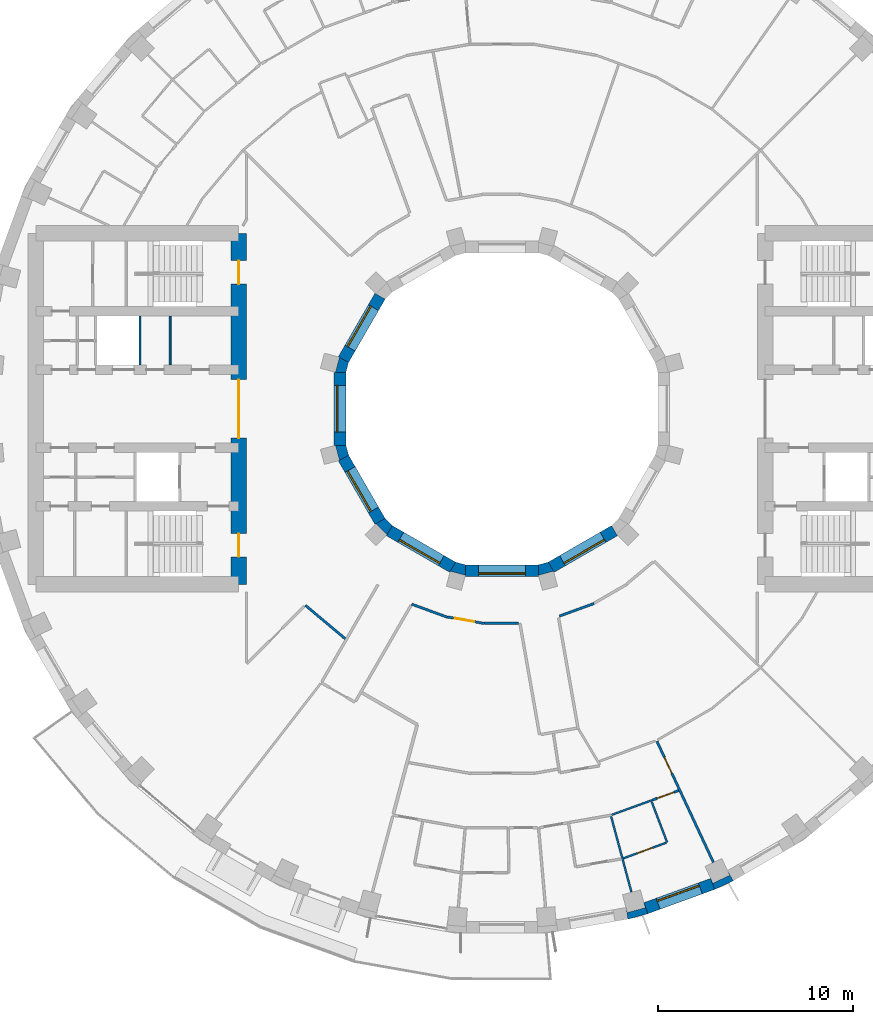
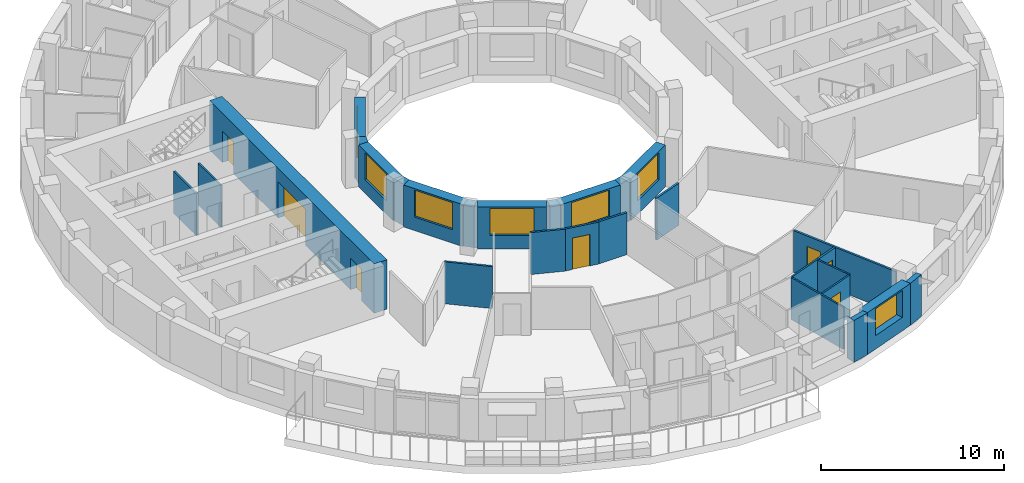
# One storey, part 6 of 14: 28 walls, 7 doors, 7 windows, 14 openings.
"""IFC4 building model written with IfcOpenShell, lengths in metres."""

import ifcopenshell
import ifcopenshell.guid

model = None  # the IFC model being written
_history = None  # IfcOwnerHistory: only IFC2X3 demands one
_inside = {}  # id of a spatial element -> (the spatial element, [elements in it])
_under = {}  # id of a project, library or spatial element -> (it, [spatial elements below it])
_declared = {}  # id of a project -> (the project, [libraries it declares])
_typed = {}  # id of a type object -> (the type object, [elements of that type])
_made_of = {}  # id of a material, layer set ... -> (it, [elements and type objects made of it])


def new_model(schema):
    """Start an empty IFC model of exactly this schema.

    Asked for "IFC4X3", IfcOpenShell would pick the latest addendum, in which some entities
    have other attributes; the version numbers below select the first issue.
    IFC2X3 requires an IfcOwnerHistory on every rooted entity: one is made here for all.
    """
    global model, _history
    if schema == "IFC4X3":
        model = ifcopenshell.file(schema_version=(4, 3, 0, 0))
    else:
        model = ifcopenshell.file(schema=schema)
    _inside.clear()
    _under.clear()
    _declared.clear()
    _typed.clear()
    _made_of.clear()
    _history = None
    if model.schema == "IFC2X3":
        org = make("IfcOrganization", Name="unknown")
        user = make(
            "IfcPersonAndOrganization",
            ThePerson=make("IfcPerson", FamilyName="unknown"),
            TheOrganization=org,
        )
        app = make(
            "IfcApplication",
            ApplicationDeveloper=org,
            Version="unknown",
            ApplicationFullName="unknown",
            ApplicationIdentifier="unknown",
        )
        _history = make(
            "IfcOwnerHistory",
            OwningUser=user,
            OwningApplication=app,
            ChangeAction="ADDED",
            CreationDate=0,
        )
    return model


def make(cls, **values):
    """One entity of the class cls with the attributes given. An attribute that is None is left unset."""
    return model.create_entity(
        cls, **{name: value for name, value in values.items() if value is not None}
    )


def rooted(cls, **values):
    """An entity with a GlobalId (a new one), such as an element, a storey or a relation."""
    return make(cls, GlobalId=ifcopenshell.guid.new(), OwnerHistory=_history, **values)


def si_unit(unit_type, name, prefix=None):
    """IfcSIUnit, for example si_unit("LENGTHUNIT", "METRE", prefix="MILLI")."""
    return make("IfcSIUnit", UnitType=unit_type, Prefix=prefix, Name=name)


def assignment(units):
    """IfcUnitAssignment: the units of a project."""
    return None if units is None else make("IfcUnitAssignment", Units=units)


def point(xyz):
    """IfcCartesianPoint."""
    return None if xyz is None else make("IfcCartesianPoint", Coordinates=xyz)


def direction(xyz):
    """IfcDirection."""
    return None if xyz is None else make("IfcDirection", DirectionRatios=xyz)


def frame(location, z_axis=None, x_axis=None):
    """IfcAxis2Placement3D, a coordinate frame: its origin and axes. An axis left out is left unset."""
    return make(
        "IfcAxis2Placement3D",
        Location=point(location),
        Axis=direction(z_axis),
        RefDirection=direction(x_axis),
    )


def frame_2d(location, x_axis=None):
    """IfcAxis2Placement2D, a coordinate frame in the plane: its origin and x axis."""
    return make(
        "IfcAxis2Placement2D", Location=point(location), RefDirection=direction(x_axis)
    )


def origin():
    """The frame at (0, 0, 0) with its axes left unset."""
    return frame((0.0, 0.0, 0.0))


def place(relative_to, where):
    """IfcLocalPlacement: puts the frame where relative to a parent placement (None: the world)."""
    return make(
        "IfcLocalPlacement", PlacementRelTo=relative_to, RelativePlacement=where
    )


def context(
    kind, dimensions, precision=None, world=None, true_north=None, identifier=None
):
    """IfcGeometricRepresentationContext, for example the 3D "Model" context."""
    return make(
        "IfcGeometricRepresentationContext",
        ContextIdentifier=identifier,
        ContextType=kind,
        CoordinateSpaceDimension=dimensions,
        Precision=precision,
        WorldCoordinateSystem=world,
        TrueNorth=true_north,
    )


def subcontext(parent, identifier, kind, view, scale=None):
    """IfcGeometricRepresentationSubContext, for example "Body" below "Model"."""
    return make(
        "IfcGeometricRepresentationSubContext",
        ContextIdentifier=identifier,
        ContextType=kind,
        ParentContext=parent,
        TargetScale=scale,
        TargetView=view,
    )


def project(units=None, contexts=None):
    """IfcProject with its units and contexts."""
    return rooted(
        "IfcProject",
        Name="project",
        RepresentationContexts=contexts,
        UnitsInContext=assignment(units),
    )


def spatial(cls, under=None, at=None, **own):
    """A site, building, storey or space (cls), placed at a placement, below another one or the project."""
    s = rooted(cls, ObjectPlacement=at, **own)
    if under is not None:
        _under.setdefault(under.id(), (under, []))[1].append(s)
    return s


def polyline(points):
    """IfcPolyline through the points."""
    return make("IfcPolyline", Points=[point(p) for p in points])


def profile(cls, at=None, kind="AREA", **sizes):
    """A parametric profile (cls). Its sizes go by their IFC names, for example OverallWidth=200.0."""
    return make(cls, ProfileType=kind, Position=at, **sizes)


def rectangle(**sizes):
    """IfcRectangleProfileDef."""
    return profile("IfcRectangleProfileDef", **sizes)


def outline(outer, holes=None, kind="AREA"):
    """IfcArbitraryClosedProfileDef: a profile drawn as a closed curve; with holes, ...WithVoids."""
    if holes is None:
        return make("IfcArbitraryClosedProfileDef", ProfileType=kind, OuterCurve=outer)
    return make(
        "IfcArbitraryProfileDefWithVoids",
        ProfileType=kind,
        OuterCurve=outer,
        InnerCurves=holes,
    )


def extrude(swept, where, along, depth):
    """IfcExtrudedAreaSolid: the profile swept, set in the frame where, extruded along a direction by depth."""
    return make(
        "IfcExtrudedAreaSolid",
        SweptArea=swept,
        Position=where,
        ExtrudedDirection=direction(along),
        Depth=depth,
    )


def shape(context_of_items, identifier, shape_type, items):
    """IfcShapeRepresentation: the items that make up one representation, for example the "Body"."""
    return make(
        "IfcShapeRepresentation",
        ContextOfItems=context_of_items,
        RepresentationIdentifier=identifier,
        RepresentationType=shape_type,
        Items=items,
    )


def material(Name=None, Category=None):
    """IfcMaterial."""
    return make("IfcMaterial", Name=Name, Category=Category)


def layer(
    of_material, thickness, ventilated=None, Name=None, Category=None, Priority=None
):
    """IfcMaterialLayer: one layer of a wall or slab, of a material (None: an air gap)."""
    return make(
        "IfcMaterialLayer",
        Material=of_material,
        LayerThickness=thickness,
        IsVentilated=ventilated,
        Name=Name,
        Category=Category,
        Priority=Priority,
    )


def layer_set(layers, Name=None):
    """IfcMaterialLayerSet."""
    return make("IfcMaterialLayerSet", MaterialLayers=layers, LayerSetName=Name)


def made_of(thing, what):
    """Note that an element or type object is made of a material, layer set ...; save() writes the relation."""
    if what is not None:
        _made_of.setdefault(what.id(), (what, []))[1].append(thing)
    return thing


def type_object(cls, material=None, **own):
    """A type object (cls), such as IfcWallType, which elements share."""
    return made_of(rooted(cls, **own), material)


def element(
    cls,
    number,
    at=None,
    inside=None,
    cuts=None,
    type_object=None,
    material=None,
    context=None,
    identifier="Body",
    shape_type=None,
    held_by="IfcProductDefinitionShape",
    body=None,
    shapes=None,
    **own,
):
    """One element of the class cls, such as IfcWall. Its Tag is "e" and its number.

    at: its placement. inside: the storey or other place that contains it. cuts: it is an
    opening in that element (IfcRelVoidsElement). A single representation is given by context,
    identifier, shape_type and body (its items); several are given by shapes. held_by: the class
    of the entity that holds the representations. save() writes the other relations.
    """
    e = rooted(cls, Tag="e%d" % number, ObjectPlacement=at, **own)
    if body is not None:
        shapes = [shape(context, identifier, shape_type, body)]
    if shapes is not None:
        e.Representation = make(held_by, Representations=shapes)
    if inside is not None:
        _inside.setdefault(inside.id(), (inside, []))[1].append(e)
    if cuts is not None:
        rooted(
            "IfcRelVoidsElement", RelatingBuildingElement=cuts, RelatedOpeningElement=e
        )
    if type_object is not None:
        _typed.setdefault(type_object.id(), (type_object, []))[1].append(e)
    return made_of(e, material)


def fill(opening, filler):
    """IfcRelFillsElement: the door or window that sits in an opening."""
    return rooted(
        "IfcRelFillsElement",
        RelatingOpeningElement=opening,
        RelatedBuildingElement=filler,
    )


def aggregate(whole, parts):
    """IfcRelAggregates: a whole, such as a stair, and the parts it consists of."""
    return rooted("IfcRelAggregates", RelatingObject=whole, RelatedObjects=parts)


def save(model, path):
    """Write the relations noted so far, then the file.

    IfcRelAggregates (storeys below a building ...), IfcRelContainedInSpatialStructure (elements
    in a storey), IfcRelDefinesByType, IfcRelAssociatesMaterial and IfcRelDeclares: one each for
    every whole, place, type object, material and project.
    """
    for whole, parts in _under.values():
        aggregate(whole, parts)
    for where, things in _inside.values():
        rooted(
            "IfcRelContainedInSpatialStructure",
            RelatedElements=things,
            RelatingStructure=where,
        )
    for kind, things in _typed.values():
        rooted("IfcRelDefinesByType", RelatedObjects=things, RelatingType=kind)
    for what, things in _made_of.values():
        rooted("IfcRelAssociatesMaterial", RelatedObjects=things, RelatingMaterial=what)
    for by, libraries in _declared.values():
        rooted("IfcRelDeclares", RelatingContext=by, RelatedDefinitions=libraries)
    model.write(path)


model = new_model("IFC4")

# Units and contexts
model_context = context("Model", 3, precision=1e-05, world=origin(), true_north=direction((0.0, 1.0)))
body_context = subcontext(model_context, "Body", "Model", "MODEL_VIEW")
ifc_project = project(units=[si_unit("LENGTHUNIT", "METRE"), si_unit("AREAUNIT", "SQUARE_METRE"), si_unit("VOLUMEUNIT", "CUBIC_METRE"), si_unit("PLANEANGLEUNIT", "RADIAN"), si_unit("MASSUNIT", "GRAM", prefix="KILO")], contexts=[model_context])

# Site, building, storey
site_placement = place(None, origin())
site = spatial("IfcSite", under=ifc_project, at=site_placement, CompositionType="ELEMENT")
building_placement = place(site_placement, origin())
building = spatial("IfcBuilding", under=site, at=building_placement, Name="Saqina Gate Tower", CompositionType="ELEMENT")
storey_placement = place(building_placement, frame((0.0, 0.0, 138.10009765625)))
storey = spatial("IfcBuildingStorey", under=building, at=storey_placement, Name="L39", CompositionType="ELEMENT", Elevation=138.10009765625)

# Walls
ifc_material_1 = material(Name="Brick masonry (buff)", Category="masonry")
wall_type_1 = type_object("IfcWallType", Name="BRICK PIER COPING BUFF", PredefinedType="SOLIDWALL", material=ifc_material_1)
wall_1_placement = place(storey_placement, origin())
element("IfcWall", 1, at=wall_1_placement, inside=storey, type_object=wall_type_1, Name="Pier cap L39 column 29", PredefinedType="SOLIDWALL", context=body_context, shape_type="SweptSolid", body=[
    extrude(outline(polyline([(6.466796875, -26.171875), (7.485595703125, -25.89892578125), (7.2802734375, -25.335205078125), (7.349853515625, -25.5947265625), (6.43212890625, -25.8408203125), (6.36279296875, -25.5810546875), (6.466796875, -26.171875)])), origin(), (0.0, 0.0, 1.0), 2.7998046875),
])
wall_2_placement = place(storey_placement, origin())
element("IfcWall", 2, at=wall_2_placement, inside=storey, type_object=wall_type_1, Name="Pier cap L39 column 30", PredefinedType="SOLIDWALL", context=body_context, shape_type="SweptSolid", body=[
    extrude(outline(polyline([(10.913330078125, -24.6513671875), (11.869140625, -24.205810546875), (11.569091796875, -23.68603515625), (11.6826171875, -23.9296875), (10.82177734375, -24.331298828125), (10.7080078125, -24.08740234375), (10.913330078125, -24.6513671875)])), origin(), (0.0, 0.0, 1.0), 2.7998046875),
])
ifc_material_2 = material(Name="Gypsum board on steel studs", Category="steel")
ifc_layer_1 = layer(ifc_material_2, 0.10009765625)
ifc_layer_set_1 = layer_set([ifc_layer_1], Name="CORE PARTITION")
wall_type_2 = type_object("IfcWallType", Name="CORE PARTITION", PredefinedType="PARTITIONING", material=ifc_layer_set_1)
wall_3_placement = place(storey_placement, frame((-17.022216796875, 2.25, 0.0), z_axis=(0.0, 0.0, 1.0), x_axis=(0.0, 1.0, 0.0)))
element("IfcWall", 3, at=wall_3_placement, inside=storey, type_object=wall_type_2, Name="L39-CP-W01", PredefinedType="PARTITIONING", context=body_context, shape_type="SweptSolid", body=[
    extrude(rectangle(XDim=2.5, YDim=0.10009765625, at=frame_2d((1.25, 0.0))), origin(), (0.0, 0.0, 1.0), 2.7998046875),
])

# Wall, opening, window
ifc_material_3 = material(Name="Brick masonry (buff)", Category="masonry")
ifc_layer_2 = layer(ifc_material_3, 0.60009765625)
ifc_layer_set_2 = layer_set([ifc_layer_2], Name="FW-BRICK-BUFF")
wall_type_3 = type_object("IfcWallType", Name="FW-BRICK-BUFF", PredefinedType="SOLIDWALL", material=ifc_layer_set_2)
wall_4_placement = place(storey_placement, frame((7.3828125, -25.616943359375, 0.0), z_axis=(0.0, 0.0, 1.0), x_axis=(0.939703505393, 0.341990236633, 0.0)))
wall_4 = element("IfcWall", 4, at=wall_4_placement, inside=storey, type_object=wall_type_3, Name="Facade wall L39 facet 29", PredefinedType="SOLIDWALL", context=body_context, shape_type="SweptSolid", body=[
    extrude(rectangle(XDim=3.64794921875, YDim=0.60009765625, at=frame_2d((1.823974609375, 0.0))), origin(), (0.0, 0.0, 1.0), 2.7998046875),
])
opening_1_placement = place(wall_4_placement, frame((0.673828125, 0.0, 0.89990234375)))
opening_1 = element("IfcOpeningElement", 5, at=opening_1_placement, cuts=wall_4, Name="Opening G11-W18", PredefinedType="OPENING", context=body_context, shape_type="SweptSolid", body=[
    extrude(rectangle(XDim=2.300048828125, YDim=1.800048828125, at=frame_2d((1.14990234375, 0.89990234375))), frame((0.0, 0.31201171875, 0.0), z_axis=(0.0, -1.0, 0.0), x_axis=(1.0, 0.0, 0.0)), (0.0, 0.0, 1.0), 0.6240234375),
])
ifc_material_4 = material(Name="Aluminium glazing", Category="aluminium")
window_type_1 = type_object("IfcWindowType", Name="WN-B", PartitioningType="SINGLE_PANEL", PredefinedType="WINDOW", material=ifc_material_4)
window_1_placement = place(opening_1_placement, origin())
window_1 = element("IfcWindow", 6, at=window_1_placement, inside=storey, type_object=window_type_1, Name="Window L39 facet 29", OverallHeight=1.800048828125, OverallWidth=2.300048828125, PartitioningType="SINGLE_PANEL", PredefinedType="WINDOW", context=body_context, shape_type="SweptSolid", body=[
    extrude(rectangle(XDim=2.300048828125, YDim=1.800048828125, at=frame_2d((1.14990234375, 0.89990234375))), frame((0.0, 0.179931640625, 0.0), z_axis=(0.0, -1.0, 0.0), x_axis=(1.0, 0.0, 0.0)), (0.0, 0.0, 1.0), 0.06005859375),
])
fill(opening_1, window_1)

ifc_material_5 = material(Name="Glazed ceramic tile", Category="ceramic")
ifc_layer_3 = layer(ifc_material_5, 0.60009765625)
ifc_layer_set_3 = layer_set([ifc_layer_3], Name="IW-TILE")
wall_type_4 = type_object("IfcWallType", Name="IW-TILE", PredefinedType="SOLIDWALL", material=ifc_layer_set_3)
wall_5_placement = place(storey_placement, frame((-6.251220703125, 5.772705078125, 0.0), z_axis=(0.0, 0.0, 1.0), x_axis=(-0.499964958637, -0.86604563398, 0.0)))
wall_5 = element("IfcWall", 7, at=wall_5_placement, inside=storey, type_object=wall_type_4, Name="Well wall L39 facet 5", PredefinedType="SOLIDWALL", context=body_context, shape_type="SweptSolid", body=[
    extrude(rectangle(XDim=3.747314453125, YDim=0.60009765625, at=frame_2d((1.87353515625, 0.0))), origin(), (0.0, 0.0, 1.0), 2.7998046875),
])
opening_2_placement = place(wall_5_placement, frame((0.673583984375, 0.0, 0.89990234375)))
opening_2 = element("IfcOpeningElement", 8, at=opening_2_placement, cuts=wall_5, Name="Opening G11-W27", PredefinedType="OPENING", context=body_context, shape_type="SweptSolid", body=[
    extrude(rectangle(XDim=2.39990234375, YDim=1.800048828125, at=frame_2d((1.199951171875, 0.89990234375))), frame((0.0, 0.31201171875, 0.0), z_axis=(0.0, -1.0, 0.0), x_axis=(1.0, 0.0, 0.0)), (0.0, 0.0, 1.0), 0.6240234375),
])
ifc_material_6 = material(Name="Aluminium glazing", Category="aluminium")
window_type_2 = type_object("IfcWindowType", Name="WN-W", PartitioningType="SINGLE_PANEL", PredefinedType="WINDOW", material=ifc_material_6)
window_2_placement = place(opening_2_placement, origin())
window_2 = element("IfcWindow", 9, at=window_2_placement, inside=storey, type_object=window_type_2, Name="Well window L39 facet 5", OverallHeight=1.800048828125, OverallWidth=2.39990234375, PartitioningType="SINGLE_PANEL", PredefinedType="WINDOW", context=body_context, shape_type="SweptSolid", body=[
    extrude(rectangle(XDim=2.39990234375, YDim=1.800048828125, at=frame_2d((1.199951171875, 0.89990234375))), frame((0.0, -0.119873046875, 0.0), z_axis=(0.0, -1.0, 0.0), x_axis=(1.0, 0.0, 0.0)), (0.0, 0.0, 1.0), 0.06005859375),
])
fill(opening_2, window_2)

wall_6_placement = place(storey_placement, frame((-8.300048828125, 1.873779296875, 0.0), z_axis=(0.0, 0.0, 1.0), x_axis=(0.0, -1.0, 0.0)))
wall_6 = element("IfcWall", 10, at=wall_6_placement, inside=storey, type_object=wall_type_4, Name="Well wall L39 facet 6", PredefinedType="SOLIDWALL", context=body_context, shape_type="SweptSolid", body=[
    extrude(rectangle(XDim=3.74755859375, YDim=0.60009765625, at=frame_2d((1.873779296875, 0.0))), origin(), (0.0, 0.0, 1.0), 2.7998046875),
])
opening_3_placement = place(wall_6_placement, frame((0.673583984375, 0.0, 0.89990234375)))
opening_3 = element("IfcOpeningElement", 11, at=opening_3_placement, cuts=wall_6, Name="Opening G11-W28", PredefinedType="OPENING", context=body_context, shape_type="SweptSolid", body=[
    extrude(rectangle(XDim=2.39990234375, YDim=1.800048828125, at=frame_2d((1.199951171875, 0.89990234375))), frame((0.0, 0.31201171875, 0.0), z_axis=(0.0, -1.0, 0.0), x_axis=(1.0, 0.0, 0.0)), (0.0, 0.0, 1.0), 0.6240234375),
])
window_3_placement = place(opening_3_placement, origin())
window_3 = element("IfcWindow", 12, at=window_3_placement, inside=storey, type_object=window_type_2, Name="Well window L39 facet 6", OverallHeight=1.800048828125, OverallWidth=2.39990234375, PartitioningType="SINGLE_PANEL", PredefinedType="WINDOW", context=body_context, shape_type="SweptSolid", body=[
    extrude(rectangle(XDim=2.39990234375, YDim=1.800048828125, at=frame_2d((1.199951171875, 0.89990234375))), frame((0.0, -0.119873046875, 0.0), z_axis=(0.0, -1.0, 0.0), x_axis=(1.0, 0.0, 0.0)), (0.0, 0.0, 1.0), 0.06005859375),
])
fill(opening_3, window_3)

wall_7_placement = place(storey_placement, frame((-8.124755859375, -2.52734375, 0.0), z_axis=(0.0, 0.0, 1.0), x_axis=(0.499964958637, -0.86604563398, 0.0)))
wall_7 = element("IfcWall", 13, at=wall_7_placement, inside=storey, type_object=wall_type_4, Name="Well wall L39 facet 7", PredefinedType="SOLIDWALL", context=body_context, shape_type="SweptSolid", body=[
    extrude(rectangle(XDim=3.747314453125, YDim=0.60009765625, at=frame_2d((1.87353515625, 0.0))), origin(), (0.0, 0.0, 1.0), 2.7998046875),
])
opening_4_placement = place(wall_7_placement, frame((0.673583984375, 0.0, 0.89990234375)))
opening_4 = element("IfcOpeningElement", 14, at=opening_4_placement, cuts=wall_7, Name="Opening G11-W29", PredefinedType="OPENING", context=body_context, shape_type="SweptSolid", body=[
    extrude(rectangle(XDim=2.39990234375, YDim=1.800048828125, at=frame_2d((1.199951171875, 0.89990234375))), frame((0.0, 0.31201171875, 0.0), z_axis=(0.0, -1.0, 0.0), x_axis=(1.0, 0.0, 0.0)), (0.0, 0.0, 1.0), 0.6240234375),
])
window_4_placement = place(opening_4_placement, origin())
window_4 = element("IfcWindow", 15, at=window_4_placement, inside=storey, type_object=window_type_2, Name="Well window L39 facet 7", OverallHeight=1.800048828125, OverallWidth=2.39990234375, PartitioningType="SINGLE_PANEL", PredefinedType="WINDOW", context=body_context, shape_type="SweptSolid", body=[
    extrude(rectangle(XDim=2.39990234375, YDim=1.800048828125, at=frame_2d((1.199951171875, 0.89990234375))), frame((0.0, -0.119873046875, 0.0), z_axis=(0.0, -1.0, 0.0), x_axis=(1.0, 0.0, 0.0)), (0.0, 0.0, 1.0), 0.06005859375),
])
fill(opening_4, window_4)

wall_8_placement = place(storey_placement, frame((-5.772705078125, -6.251220703125, 0.0), z_axis=(0.0, 0.0, 1.0), x_axis=(0.86604563398, -0.499964958637, 0.0)))
wall_8 = element("IfcWall", 16, at=wall_8_placement, inside=storey, type_object=wall_type_4, Name="Well wall L39 facet 8", PredefinedType="SOLIDWALL", context=body_context, shape_type="SweptSolid", body=[
    extrude(rectangle(XDim=3.747314453125, YDim=0.60009765625, at=frame_2d((1.87353515625, 0.0))), origin(), (0.0, 0.0, 1.0), 2.7998046875),
])
opening_5_placement = place(wall_8_placement, frame((0.673583984375, 0.0, 0.89990234375)))
opening_5 = element("IfcOpeningElement", 17, at=opening_5_placement, cuts=wall_8, Name="Opening G11-W30", PredefinedType="OPENING", context=body_context, shape_type="SweptSolid", body=[
    extrude(rectangle(XDim=2.39990234375, YDim=1.800048828125, at=frame_2d((1.199951171875, 0.89990234375))), frame((0.0, 0.31201171875, 0.0), z_axis=(0.0, -1.0, 0.0), x_axis=(1.0, 0.0, 0.0)), (0.0, 0.0, 1.0), 0.6240234375),
])
window_5_placement = place(opening_5_placement, origin())
window_5 = element("IfcWindow", 18, at=window_5_placement, inside=storey, type_object=window_type_2, Name="Well window L39 facet 8", OverallHeight=1.800048828125, OverallWidth=2.39990234375, PartitioningType="SINGLE_PANEL", PredefinedType="WINDOW", context=body_context, shape_type="SweptSolid", body=[
    extrude(rectangle(XDim=2.39990234375, YDim=1.800048828125, at=frame_2d((1.199951171875, 0.89990234375))), frame((0.0, -0.119873046875, 0.0), z_axis=(0.0, -1.0, 0.0), x_axis=(1.0, 0.0, 0.0)), (0.0, 0.0, 1.0), 0.06005859375),
])
fill(opening_5, window_5)

wall_9_placement = place(storey_placement, frame((-1.873779296875, -8.300048828125, 0.0), z_axis=(0.0, 0.0, 1.0), x_axis=(1.0, 0.0, 0.0)))
wall_9 = element("IfcWall", 19, at=wall_9_placement, inside=storey, type_object=wall_type_4, Name="Well wall L39 facet 9", PredefinedType="SOLIDWALL", context=body_context, shape_type="SweptSolid", body=[
    extrude(rectangle(XDim=3.74755859375, YDim=0.60009765625, at=frame_2d((1.873779296875, 0.0))), origin(), (0.0, 0.0, 1.0), 2.7998046875),
])
opening_6_placement = place(wall_9_placement, frame((0.673583984375, 0.0, 0.89990234375)))
opening_6 = element("IfcOpeningElement", 20, at=opening_6_placement, cuts=wall_9, Name="Opening G11-W31", PredefinedType="OPENING", context=body_context, shape_type="SweptSolid", body=[
    extrude(rectangle(XDim=2.39990234375, YDim=1.800048828125, at=frame_2d((1.199951171875, 0.89990234375))), frame((0.0, 0.31201171875, 0.0), z_axis=(0.0, -1.0, 0.0), x_axis=(1.0, 0.0, 0.0)), (0.0, 0.0, 1.0), 0.6240234375),
])
window_6_placement = place(opening_6_placement, origin())
window_6 = element("IfcWindow", 21, at=window_6_placement, inside=storey, type_object=window_type_2, Name="Well window L39 facet 9", OverallHeight=1.800048828125, OverallWidth=2.39990234375, PartitioningType="SINGLE_PANEL", PredefinedType="WINDOW", context=body_context, shape_type="SweptSolid", body=[
    extrude(rectangle(XDim=2.39990234375, YDim=1.800048828125, at=frame_2d((1.199951171875, 0.89990234375))), frame((0.0, -0.119873046875, 0.0), z_axis=(0.0, -1.0, 0.0), x_axis=(1.0, 0.0, 0.0)), (0.0, 0.0, 1.0), 0.06005859375),
])
fill(opening_6, window_6)

wall_10_placement = place(storey_placement, frame((2.52734375, -8.124755859375, 0.0), z_axis=(0.0, 0.0, 1.0), x_axis=(0.86604563398, 0.499964958637, 0.0)))
wall_10 = element("IfcWall", 22, at=wall_10_placement, inside=storey, type_object=wall_type_4, Name="Well wall L39 facet 10", PredefinedType="SOLIDWALL", context=body_context, shape_type="SweptSolid", body=[
    extrude(rectangle(XDim=3.747314453125, YDim=0.60009765625, at=frame_2d((1.87353515625, 0.0))), origin(), (0.0, 0.0, 1.0), 2.7998046875),
])
opening_7_placement = place(wall_10_placement, frame((0.673583984375, 0.0, 0.89990234375)))
opening_7 = element("IfcOpeningElement", 23, at=opening_7_placement, cuts=wall_10, Name="Opening G11-W32", PredefinedType="OPENING", context=body_context, shape_type="SweptSolid", body=[
    extrude(rectangle(XDim=2.39990234375, YDim=1.800048828125, at=frame_2d((1.199951171875, 0.89990234375))), frame((0.0, 0.31201171875, 0.0), z_axis=(0.0, -1.0, 0.0), x_axis=(1.0, 0.0, 0.0)), (0.0, 0.0, 1.0), 0.6240234375),
])
window_7_placement = place(opening_7_placement, origin())
window_7 = element("IfcWindow", 24, at=window_7_placement, inside=storey, type_object=window_type_2, Name="Well window L39 facet 10", OverallHeight=1.800048828125, OverallWidth=2.39990234375, PartitioningType="SINGLE_PANEL", PredefinedType="WINDOW", context=body_context, shape_type="SweptSolid", body=[
    extrude(rectangle(XDim=2.39990234375, YDim=1.800048828125, at=frame_2d((1.199951171875, 0.89990234375))), frame((0.0, -0.119873046875, 0.0), z_axis=(0.0, -1.0, 0.0), x_axis=(1.0, 0.0, 0.0)), (0.0, 0.0, 1.0), 0.06005859375),
])
fill(opening_7, window_7)

# Walls
ifc_material_7 = material(Name="Gypsum board on steel studs, 100 mm", Category="steel")
ifc_layer_4 = layer(ifc_material_7, 0.10009765625)
ifc_layer_set_4 = layer_set([ifc_layer_4], Name="PARTITION 100")
wall_type_5 = type_object("IfcWallType", Name="PARTITION 100", PredefinedType="PARTITIONING", material=ifc_layer_set_4)
wall_11_placement = place(storey_placement, frame((5.597900390625, -20.892333984375, 0.0), z_axis=(0.0, 0.0, 1.0), x_axis=(0.259224915088, -0.965816982351, 0.0)))
element("IfcWall", 25, at=wall_11_placement, inside=storey, type_object=wall_type_5, Name="PARTITION PW3-08", PredefinedType="PARTITIONING", context=body_context, shape_type="SweptSolid", body=[
    extrude(rectangle(XDim=4.03564453125, YDim=0.10009765625, at=frame_2d((2.017822265625, 0.0))), origin(), (0.0, 0.0, 1.0), 2.7998046875),
])
wall_12_placement = place(storey_placement, frame((7.679443359375, -20.14892578125, 0.0), z_axis=(0.0, 0.0, 1.0), x_axis=(0.356154183318, -0.934427202999, 0.0)))
element("IfcWall", 26, at=wall_12_placement, inside=storey, type_object=wall_type_5, Name="PARTITION PW3-12", PredefinedType="PARTITIONING", context=body_context, shape_type="SweptSolid", body=[
    extrude(rectangle(XDim=2.23681640625, YDim=0.10009765625, at=frame_2d((1.118408203125, 0.0))), origin(), (0.0, 0.0, 1.0), 2.7998046875),
])

# Wall, opening, door
wall_13_placement = place(storey_placement, frame((6.22998046875, -23.056884765625, 0.0), z_axis=(0.0, 0.0, 1.0), x_axis=(0.93963493474, 0.342178592866, 0.0)))
wall_13 = element("IfcWall", 27, at=wall_13_placement, inside=storey, type_object=wall_type_5, Name="PARTITION PW3-51", PredefinedType="PARTITIONING", context=body_context, shape_type="SweptSolid", body=[
    extrude(rectangle(XDim=2.34033203125, YDim=0.10009765625, at=frame_2d((1.170166015625, 0.0))), origin(), (0.0, 0.0, 1.0), 2.7998046875),
])
opening_8_placement = place(wall_13_placement, frame((0.770263671875, 0.0, 0.0)))
opening_8 = element("IfcOpeningElement", 28, at=opening_8_placement, cuts=wall_13, Name="Opening G11-D38", PredefinedType="OPENING", context=body_context, shape_type="SweptSolid", body=[
    extrude(rectangle(XDim=0.800048828125, YDim=2.10009765625, at=frame_2d((0.39990234375, 1.050048828125))), frame((0.0, 0.06201171875, 0.0), z_axis=(0.0, -1.0, 0.0), x_axis=(1.0, 0.0, 0.0)), (0.0, 0.0, 1.0), 0.1240234375),
])
ifc_material_8 = material(Name="Timber door leaf, 800 mm", Category="wood")
door_type_1 = type_object("IfcDoorType", Name="DOOR 800 TIMBER", OperationType="SINGLE_SWING_LEFT", PredefinedType="DOOR", material=ifc_material_8)
door_1_placement = place(opening_8_placement, frame((0.800048828125, 0.0, 0.0), z_axis=(0.0, 0.0, 1.0), x_axis=(-1.0, 0.0, 0.0)))
door_1 = element("IfcDoor", 29, at=door_1_placement, inside=storey, type_object=door_type_1, Name="DOOR G11-D38", OperationType="SINGLE_SWING_LEFT", OverallHeight=2.10009765625, OverallWidth=0.800048828125, PredefinedType="DOOR", context=body_context, shape_type="SweptSolid", body=[
    extrude(rectangle(XDim=0.800048828125, YDim=2.10009765625, at=frame_2d((0.39990234375, 1.050048828125))), frame((0.0, 0.02490234375, 0.0), z_axis=(0.0, -1.0, 0.0), x_axis=(1.0, 0.0, 0.0)), (0.0, 0.0, 1.0), 0.050048828125),
])
fill(opening_8, door_1)

# Wall
wall_14_placement = place(storey_placement, frame((5.633544921875, -20.826416015625, 0.0), z_axis=(0.0, 0.0, 1.0), x_axis=(0.939722230227, 0.341938781097, 0.0)))
element("IfcWall", 30, at=wall_14_placement, inside=storey, type_object=wall_type_5, Name="PARTITION PW3-52", PredefinedType="PARTITIONING", context=body_context, shape_type="SweptSolid", body=[
    extrude(rectangle(XDim=2.203369140625, YDim=0.10009765625, at=frame_2d((1.1015625, 0.0))), origin(), (0.0, 0.0, 1.0), 2.7998046875),
])

# Wall, opening, door
ifc_material_9 = material(Name="Gypsum board on steel studs, 125 mm, fire rated", Category="steel")
ifc_layer_5 = layer(ifc_material_9, 0.125)
ifc_layer_set_5 = layer_set([ifc_layer_5], Name="PARTITION EI 30 125")
wall_type_6 = type_object("IfcWallType", Name="PARTITION EI 30 125", PredefinedType="PARTITIONING", material=ifc_layer_set_5)
wall_15_placement = place(storey_placement, frame((7.953857421875, -17.057373046875, 0.0), z_axis=(0.0, 0.0, 1.0), x_axis=(0.422662835783, -0.906287000485, 0.0)))
wall_15 = element("IfcWall", 31, at=wall_15_placement, inside=storey, type_object=wall_type_6, Name="PARTITION PW1-05", PredefinedType="PARTITIONING", context=body_context, shape_type="SweptSolid", body=[
    extrude(rectangle(XDim=6.84423828125, YDim=0.125, at=frame_2d((3.422119140625, 0.0))), origin(), (0.0, 0.0, 1.0), 2.7998046875),
])
opening_9_placement = place(wall_15_placement, frame((0.905029296875, 0.0, 0.0)))
opening_9 = element("IfcOpeningElement", 32, at=opening_9_placement, cuts=wall_15, Name="Opening G11-D40", PredefinedType="OPENING", context=body_context, shape_type="SweptSolid", body=[
    extrude(rectangle(XDim=0.89990234375, YDim=2.10009765625, at=frame_2d((0.449951171875, 1.050048828125))), frame((0.0, 0.074462890625, 0.0), z_axis=(0.0, -1.0, 0.0), x_axis=(1.0, 0.0, 0.0)), (0.0, 0.0, 1.0), 0.14892578125),
])
ifc_material_10 = material(Name="Fire door leaf EI 30, 900 mm")
door_type_2 = type_object("IfcDoorType", Name="DOOR 900 EI 30", OperationType="SINGLE_SWING_LEFT", PredefinedType="DOOR", material=ifc_material_10)
door_2_placement = place(opening_9_placement, origin())
door_2 = element("IfcDoor", 33, at=door_2_placement, inside=storey, type_object=door_type_2, Name="DOOR G11-D40", OperationType="SINGLE_SWING_LEFT", OverallHeight=2.10009765625, OverallWidth=0.89990234375, PredefinedType="DOOR", context=body_context, shape_type="SweptSolid", body=[
    extrude(rectangle(XDim=0.89990234375, YDim=2.10009765625, at=frame_2d((0.449951171875, 1.050048828125))), frame((0.0, 0.02490234375, 0.0), z_axis=(0.0, -1.0, 0.0), x_axis=(1.0, 0.0, 0.0)), (0.0, 0.0, 1.0), 0.050048828125),
])
fill(opening_9, door_2)

# Walls
wall_16_placement = place(storey_placement, frame((-10.0791015625, -10.0791015625, 0.0), z_axis=(0.0, 0.0, 1.0), x_axis=(0.766028909875, -0.642806121031, 0.0)))
element("IfcWall", 34, at=wall_16_placement, inside=storey, type_object=wall_type_6, Name="PARTITION PW1-08", PredefinedType="PARTITIONING", context=body_context, shape_type="SweptSolid", body=[
    extrude(rectangle(XDim=2.6708984375, YDim=0.125, at=frame_2d((1.33544921875, 0.0))), origin(), (0.0, 0.0, 1.0), 2.7998046875),
])
wall_17_placement = place(storey_placement, frame((-4.631103515625, -10.02001953125, 0.0), z_axis=(0.0, 0.0, 1.0), x_axis=(0.939584951486, -0.342315817545, 0.0)))
element("IfcWall", 35, at=wall_17_placement, inside=storey, type_object=wall_type_6, Name="PARTITION PW1-13", PredefinedType="PARTITIONING", context=body_context, shape_type="SweptSolid", body=[
    extrude(rectangle(XDim=1.95068359375, YDim=0.125, at=frame_2d((0.975341796875, 0.0))), origin(), (0.0, 0.0, 1.0), 2.7998046875),
])

# Wall, opening, door
wall_18_placement = place(storey_placement, frame((-2.79638671875, -10.6767578125, 0.0), z_axis=(0.0, 0.0, 1.0), x_axis=(0.984830733923, -0.173517795977, 0.0)))
wall_18 = element("IfcWall", 36, at=wall_18_placement, inside=storey, type_object=wall_type_6, Name="PARTITION PW1-16", PredefinedType="PARTITIONING", context=body_context, shape_type="SweptSolid", body=[
    extrude(rectangle(XDim=1.92626953125, YDim=0.125, at=frame_2d((0.963134765625, 0.0))), origin(), (0.0, 0.0, 1.0), 2.7998046875),
])
opening_10_placement = place(wall_18_placement, frame((0.400146484375, 0.0, 0.0)))
opening_10 = element("IfcOpeningElement", 37, at=opening_10_placement, cuts=wall_18, Name="Opening G11-D30", PredefinedType="OPENING", context=body_context, shape_type="SweptSolid", body=[
    extrude(rectangle(XDim=1.0, YDim=2.10009765625, at=frame_2d((0.5, 1.050048828125))), frame((0.0, 0.074462890625, 0.0), z_axis=(0.0, -1.0, 0.0), x_axis=(1.0, 0.0, 0.0)), (0.0, 0.0, 1.0), 0.14892578125),
])
ifc_material_11 = material(Name="Fire door leaf EI 30, 1000 mm")
door_type_3 = type_object("IfcDoorType", Name="DOOR 1000 EI 30", OperationType="SINGLE_SWING_LEFT", PredefinedType="DOOR", material=ifc_material_11)
door_3_placement = place(opening_10_placement, frame((1.0, 0.0, 0.0), z_axis=(0.0, 0.0, 1.0), x_axis=(-1.0, 0.0, 0.0)))
door_3 = element("IfcDoor", 38, at=door_3_placement, inside=storey, type_object=door_type_3, Name="DOOR G11-D30", OperationType="SINGLE_SWING_RIGHT", OverallHeight=2.10009765625, OverallWidth=1.0, PredefinedType="DOOR", context=body_context, shape_type="SweptSolid", body=[
    extrude(rectangle(XDim=1.0, YDim=2.10009765625, at=frame_2d((0.5, 1.050048828125))), frame((0.0, 0.02490234375, 0.0), z_axis=(0.0, -1.0, 0.0), x_axis=(1.0, 0.0, 0.0)), (0.0, 0.0, 1.0), 0.050048828125),
])
fill(opening_10, door_3)

# Wall
wall_19_placement = place(storey_placement, frame((-0.8994140625, -11.0, 0.0), z_axis=(0.0, 0.0, 1.0), x_axis=(1.0, 0.0, 0.0)))
element("IfcWall", 39, at=wall_19_placement, inside=storey, type_object=wall_type_6, Name="PARTITION PW1-20", PredefinedType="PARTITIONING", context=body_context, shape_type="SweptSolid", body=[
    extrude(rectangle(XDim=1.760986328125, YDim=0.125, at=frame_2d((0.88037109375, 0.0))), origin(), (0.0, 0.0, 1.0), 2.7998046875),
])

# Wall, opening, door
wall_20_placement = place(storey_placement, frame((7.7041015625, -20.072998046875, 0.0), z_axis=(0.0, 0.0, 1.0), x_axis=(0.939798360304, 0.341729486537, 0.0)))
wall_20 = element("IfcWall", 40, at=wall_20_placement, inside=storey, type_object=wall_type_6, Name="PARTITION PW1-27", PredefinedType="PARTITIONING", context=body_context, shape_type="SweptSolid", body=[
    extrude(rectangle(XDim=1.44384765625, YDim=0.125, at=frame_2d((0.721923828125, 0.0))), origin(), (0.0, 0.0, 1.0), 2.7998046875),
])
opening_11_placement = place(wall_20_placement, frame((0.2783203125, 0.0, 0.0)))
opening_11 = element("IfcOpeningElement", 41, at=opening_11_placement, cuts=wall_20, Name="Opening G11-D39", PredefinedType="OPENING", context=body_context, shape_type="SweptSolid", body=[
    extrude(rectangle(XDim=0.89990234375, YDim=2.10009765625, at=frame_2d((0.449951171875, 1.050048828125))), frame((0.0, 0.074462890625, 0.0), z_axis=(0.0, -1.0, 0.0), x_axis=(1.0, 0.0, 0.0)), (0.0, 0.0, 1.0), 0.14892578125),
])
door_4_placement = place(opening_11_placement, origin())
door_4 = element("IfcDoor", 42, at=door_4_placement, inside=storey, type_object=door_type_2, Name="DOOR G11-D39", OperationType="SINGLE_SWING_RIGHT", OverallHeight=2.10009765625, OverallWidth=0.89990234375, PredefinedType="DOOR", context=body_context, shape_type="SweptSolid", body=[
    extrude(rectangle(XDim=0.89990234375, YDim=2.10009765625, at=frame_2d((0.449951171875, 1.050048828125))), frame((0.0, 0.02490234375, 0.0), z_axis=(0.0, -1.0, 0.0), x_axis=(1.0, 0.0, 0.0)), (0.0, 0.0, 1.0), 0.050048828125),
])
fill(opening_11, door_4)

# Walls
wall_21_placement = place(storey_placement, frame((2.950927734375, -10.632080078125, 0.0), z_axis=(0.0, 0.0, 1.0), x_axis=(0.939616011167, 0.342230553222, 0.0)))
element("IfcWall", 43, at=wall_21_placement, inside=storey, type_object=wall_type_6, Name="PARTITION PW1-28", PredefinedType="PARTITIONING", context=body_context, shape_type="SweptSolid", body=[
    extrude(rectangle(XDim=1.8896484375, YDim=0.125, at=frame_2d((0.94482421875, 0.0))), origin(), (0.0, 0.0, 1.0), 2.7998046875),
])
ifc_material_12 = material(Name="Autoclaved aerated concrete block", Category="concrete")
ifc_layer_6 = layer(ifc_material_12, 0.1201171875)
ifc_layer_set_6 = layer_set([ifc_layer_6], Name="SHAFT PARTITION")
wall_type_7 = type_object("IfcWallType", Name="SHAFT PARTITION", PredefinedType="PARTITIONING", material=ifc_layer_set_6)
wall_22_placement = place(storey_placement, frame((-18.56005859375, 2.25, 0.0), z_axis=(0.0, 0.0, 1.0), x_axis=(0.0, 1.0, 0.0)))
element("IfcWall", 44, at=wall_22_placement, inside=storey, type_object=wall_type_7, Name="L39-CP-W02", PredefinedType="PARTITIONING", context=body_context, shape_type="SweptSolid", body=[
    extrude(rectangle(XDim=2.5, YDim=0.1201171875, at=frame_2d((1.25, 0.0))), origin(), (0.0, 0.0, 1.0), 2.7998046875),
])

# Wall, openings, doors
ifc_material_13 = material(Name="Concrete C70/85", Category="concrete")
ifc_layer_7 = layer(ifc_material_13, 0.800048828125)
ifc_layer_set_7 = layer_set([ifc_layer_7], Name="Concrete C70/85")
wall_type_8 = type_object("IfcWallType", Name="STR-CORE WALL-B-O", PredefinedType="SHEAR", material=ifc_layer_set_7)
wall_23_placement = place(storey_placement, frame((-13.5, -9.0, 0.0), z_axis=(0.0, 0.0, 1.0), x_axis=(0.0, 1.0, 0.0)))
wall_23 = element("IfcWall", 45, at=wall_23_placement, inside=storey, type_object=wall_type_8, Name="CORE WALL L39 W-W1", PredefinedType="SHEAR", context=body_context, shape_type="SweptSolid", body=[
    extrude(rectangle(XDim=18.0, YDim=0.800048828125, at=frame_2d((9.0, 0.0))), origin(), (0.0, 0.0, 1.0), 3.2998046875),
])
opening_12_placement = place(wall_23_placement, frame((15.39990234375, 0.0, 0.0)))
opening_12 = element("IfcOpeningElement", 46, at=opening_12_placement, cuts=wall_23, Name="Opening G11-D125", PredefinedType="OPENING", context=body_context, shape_type="SweptSolid", body=[
    extrude(rectangle(XDim=1.199951171875, YDim=2.10009765625, at=frame_2d((0.60009765625, 1.050048828125))), frame((0.0, 0.412109375, 0.0), z_axis=(0.0, -1.0, 0.0), x_axis=(1.0, 0.0, 0.0)), (0.0, 0.0, 1.0), 0.823974609375),
])
opening_13_placement = place(wall_23_placement, frame((1.39990234375, 0.0, 0.0)))
opening_13 = element("IfcOpeningElement", 47, at=opening_13_placement, cuts=wall_23, Name="Opening G11-D126", PredefinedType="OPENING", context=body_context, shape_type="SweptSolid", body=[
    extrude(rectangle(XDim=1.199951171875, YDim=2.10009765625, at=frame_2d((0.60009765625, 1.050048828125))), frame((0.0, 0.412109375, 0.0), z_axis=(0.0, -1.0, 0.0), x_axis=(1.0, 0.0, 0.0)), (0.0, 0.0, 1.0), 0.823974609375),
])
opening_14_placement = place(wall_23_placement, frame((7.5, 0.0, 0.0)))
opening_14 = element("IfcOpeningElement", 48, at=opening_14_placement, cuts=wall_23, Name="Opening G11-D127", PredefinedType="OPENING", context=body_context, shape_type="SweptSolid", body=[
    extrude(rectangle(XDim=3.0, YDim=2.39990234375, at=frame_2d((1.5, 1.199951171875))), frame((0.0, 0.412109375, 0.0), z_axis=(0.0, -1.0, 0.0), x_axis=(1.0, 0.0, 0.0)), (0.0, 0.0, 1.0), 0.823974609375),
])
ifc_material_14 = material(Name="Steel", Category="steel")
door_type_4 = type_object("IfcDoorType", Name="FIRE DOOR EI 60", OperationType="SINGLE_SWING_LEFT", PredefinedType="DOOR", material=ifc_material_14)
door_5_placement = place(opening_12_placement, origin())
door_5 = element("IfcDoor", 49, at=door_5_placement, inside=storey, type_object=door_type_4, Name="L39-CD-W36", OperationType="SINGLE_SWING_RIGHT", OverallHeight=2.10009765625, OverallWidth=1.199951171875, PredefinedType="DOOR", context=body_context, shape_type="SweptSolid", body=[
    extrude(rectangle(XDim=1.199951171875, YDim=2.10009765625, at=frame_2d((0.60009765625, 1.050048828125))), frame((0.0, 0.02490234375, 0.0), z_axis=(0.0, -1.0, 0.0), x_axis=(1.0, 0.0, 0.0)), (0.0, 0.0, 1.0), 0.050048828125),
])
fill(opening_12, door_5)
door_6_placement = place(opening_13_placement, origin())
door_6 = element("IfcDoor", 50, at=door_6_placement, inside=storey, type_object=door_type_4, Name="L39-CD-W37", OperationType="SINGLE_SWING_LEFT", OverallHeight=2.10009765625, OverallWidth=1.199951171875, PredefinedType="DOOR", context=body_context, shape_type="SweptSolid", body=[
    extrude(rectangle(XDim=1.199951171875, YDim=2.10009765625, at=frame_2d((0.60009765625, 1.050048828125))), frame((0.0, 0.02490234375, 0.0), z_axis=(0.0, -1.0, 0.0), x_axis=(1.0, 0.0, 0.0)), (0.0, 0.0, 1.0), 0.050048828125),
])
fill(opening_13, door_6)
ifc_material_15 = material(Name="Steel and fire-resisting glass", Category="steel")
door_type_5 = type_object("IfcDoorType", Name="LOBBY SCREEN DOOR", OperationType="DOUBLE_DOOR_SLIDING", PredefinedType="DOOR", material=ifc_material_15)
door_7_placement = place(opening_14_placement, origin())
door_7 = element("IfcDoor", 51, at=door_7_placement, inside=storey, type_object=door_type_5, Name="L39-CD-W38", OperationType="DOUBLE_DOOR_SLIDING", OverallHeight=2.39990234375, OverallWidth=3.0, PredefinedType="DOOR", context=body_context, shape_type="SweptSolid", body=[
    extrude(rectangle(XDim=3.0, YDim=2.39990234375, at=frame_2d((1.5, 1.199951171875))), frame((0.0, 0.02490234375, 0.0), z_axis=(0.0, -1.0, 0.0), x_axis=(1.0, 0.0, 0.0)), (0.0, 0.0, 1.0), 0.050048828125),
])
fill(opening_14, door_7)

# Walls
ifc_material_16 = material(Name="Glazed ceramic tile", Category="ceramic")
wall_type_9 = type_object("IfcWallType", Name="TILE PIER COPING", PredefinedType="SOLIDWALL", material=ifc_material_16)
wall_24_placement = place(storey_placement, origin())
element("IfcWall", 52, at=wall_24_placement, inside=storey, type_object=wall_type_9, Name="Well pier cap L39 column 6", PredefinedType="SOLIDWALL", context=body_context, shape_type="SweptSolid", body=[
    extrude(outline(polyline([(-8.5380859375, 1.873779296875), (-8.0, 1.873779296875), (-7.864990234375, 2.377197265625), (-8.3310546875, 2.646484375), (-8.5380859375, 1.873779296875)])), origin(), (0.0, 0.0, 1.0), 2.7998046875),
])
wall_25_placement = place(storey_placement, origin())
element("IfcWall", 53, at=wall_25_placement, inside=storey, type_object=wall_type_9, Name="Well pier cap L39 column 7", PredefinedType="SOLIDWALL", context=body_context, shape_type="SweptSolid", body=[
    extrude(outline(polyline([(-8.3310546875, -2.646484375), (-7.864990234375, -2.377197265625), (-8.0, -1.873779296875), (-8.5380859375, -1.873779296875), (-8.3310546875, -2.646484375)])), origin(), (0.0, 0.0, 1.0), 2.7998046875),
])
wall_26_placement = place(storey_placement, origin())
element("IfcWall", 54, at=wall_26_placement, inside=storey, type_object=wall_type_9, Name="Well pier cap L39 column 8", PredefinedType="SOLIDWALL", context=body_context, shape_type="SweptSolid", body=[
    extrude(outline(polyline([(-6.45751953125, -5.891845703125), (-5.891845703125, -6.45751953125), (-5.622802734375, -5.991455078125), (-5.991455078125, -5.622802734375), (-6.45751953125, -5.891845703125)])), origin(), (0.0, 0.0, 1.0), 2.7998046875),
])
wall_27_placement = place(storey_placement, origin())
element("IfcWall", 55, at=wall_27_placement, inside=storey, type_object=wall_type_9, Name="Well pier cap L39 column 9", PredefinedType="SOLIDWALL", context=body_context, shape_type="SweptSolid", body=[
    extrude(outline(polyline([(-1.873779296875, -8.5380859375), (-1.873779296875, -8.0), (-2.377197265625, -7.864990234375), (-2.646484375, -8.3310546875), (-1.873779296875, -8.5380859375)])), origin(), (0.0, 0.0, 1.0), 2.7998046875),
])
wall_28_placement = place(storey_placement, origin())
element("IfcWall", 56, at=wall_28_placement, inside=storey, type_object=wall_type_9, Name="Well pier cap L39 column 10", PredefinedType="SOLIDWALL", context=body_context, shape_type="SweptSolid", body=[
    extrude(outline(polyline([(2.646484375, -8.3310546875), (2.377197265625, -7.864990234375), (1.873779296875, -8.0), (1.873779296875, -8.5380859375), (2.646484375, -8.3310546875)])), origin(), (0.0, 0.0, 1.0), 2.7998046875),
])

save(model, "model.ifc")
